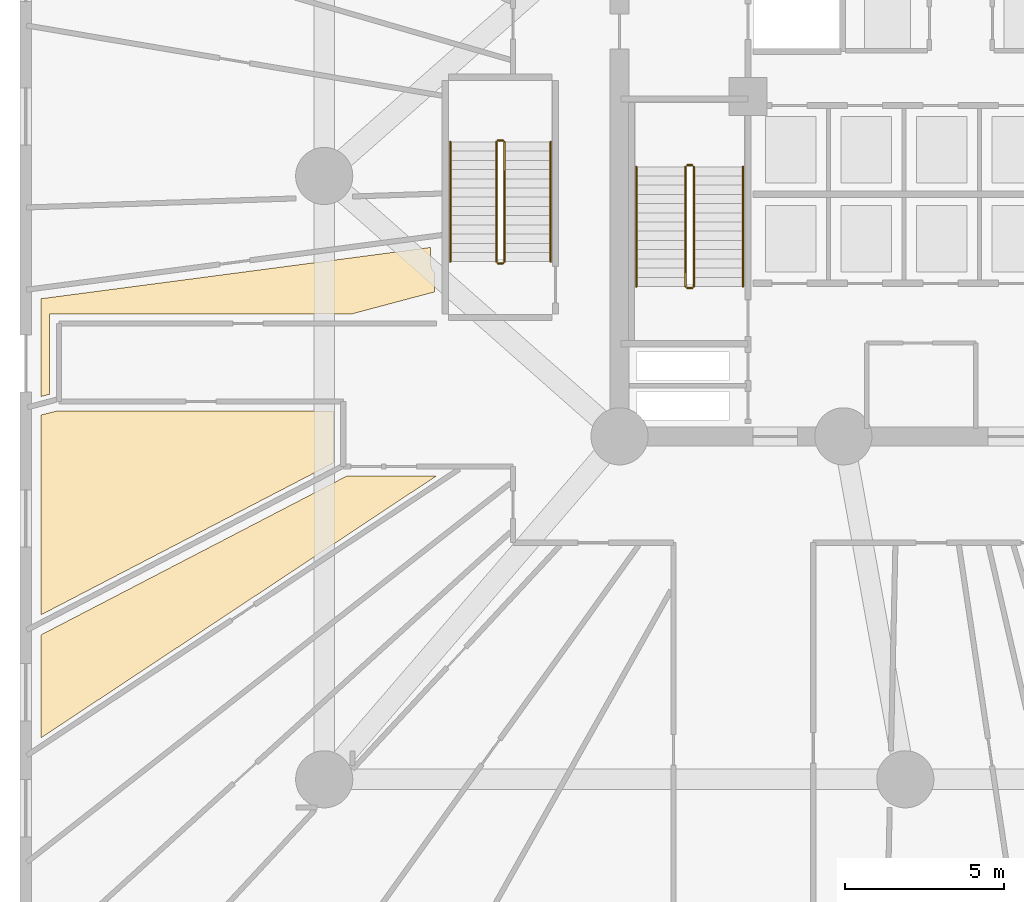
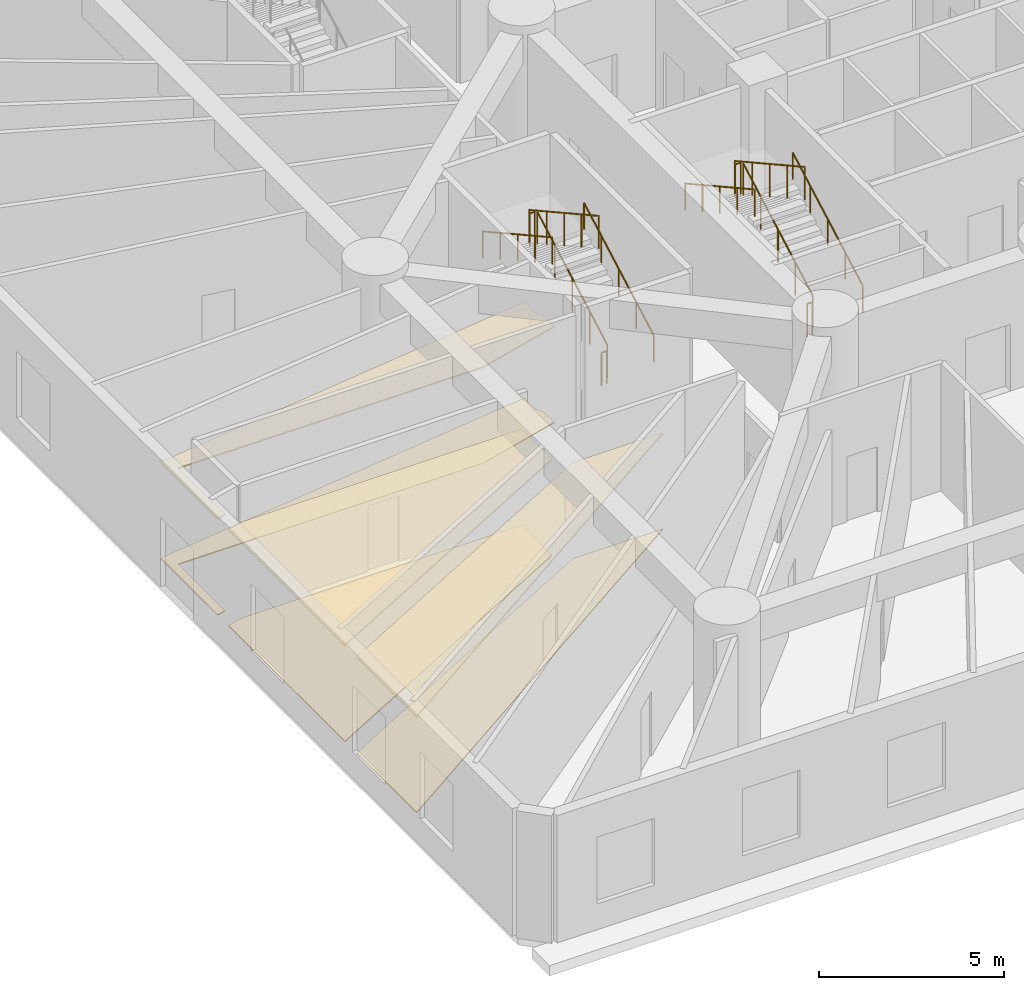
# One storey, part 23 of 30: 12 railings, 6 coverings.
"""IFC4 building model written with IfcOpenShell, lengths in metres."""

from ifc_helpers import new_model, si_unit, direction, frame, origin, origin_2d, place, context, subcontext, project, spatial, polyline, circle, outline, extrude, material, layer, layer_set, type_object, element, save


model = new_model("IFC4")

# Units and contexts
model_context = context("Model", 3, precision=1e-05, world=origin(), true_north=direction((0.0, 1.0)))
body_context = subcontext(model_context, "Body", "Model", "MODEL_VIEW")
ifc_project = project(units=[si_unit("LENGTHUNIT", "METRE"), si_unit("AREAUNIT", "SQUARE_METRE"), si_unit("VOLUMEUNIT", "CUBIC_METRE"), si_unit("PLANEANGLEUNIT", "RADIAN"), si_unit("MASSUNIT", "GRAM", prefix="KILO")], contexts=[model_context])

# Site, building, storey
site_placement = place(None, origin())
site = spatial("IfcSite", under=ifc_project, at=site_placement, CompositionType="ELEMENT")
building_placement = place(site_placement, origin())
building = spatial("IfcBuilding", under=site, at=building_placement, Name="Karkom Vertical University and Central Library", CompositionType="ELEMENT")
storey_placement = place(building_placement, origin())
storey = spatial("IfcBuildingStorey", under=building, at=storey_placement, Name="L00", CompositionType="ELEMENT", Elevation=0.0)

# Coverings
ifc_material_1 = material(Name="Perforated mineral-fibre & timber-slat acoustic ceiling", Category="wood")
ifc_layer_1 = layer(ifc_material_1, 0.044921875)
ifc_layer_set_1 = layer_set([ifc_layer_1], Name="Perforated mineral-fibre & timber-slat acoustic ceiling")
covering_type_1 = type_object("IfcCoveringType", Name="INT-COV-CEIL", PredefinedType="CEILING", material=ifc_layer_set_1)
covering_1_placement = place(storey_placement, frame((0.0, 0.0, 3.155029296875)))
element("IfcCovering", 1, at=covering_1_placement, inside=storey, type_object=covering_type_1, Name="Level 00 Suspended Acoustic Ceiling L00-PD02", PredefinedType="CEILING", context=body_context, shape_type="SweptSolid", body=[
    extrude(outline(polyline([(13.679931640625, 23.437255859375), (13.679931640625, 22.85009765625), (11.046142578125, 22.14990234375), (1.550048828125, 22.14990234375), (1.550048828125, 19.625732421875), (1.280029296875, 19.553955078125), (1.280029296875, 22.634033203125), (13.550048828125, 24.24951171875), (13.550048828125, 23.794677734375), (13.552490234375, 23.744140625), (13.560791015625, 23.688720703125), (13.57421875, 23.634521484375), (13.593017578125, 23.581787109375), (13.6171875, 23.53125), (13.645751953125, 23.483154296875), (13.67919921875, 23.438232421875), (13.679931640625, 23.437255859375)])), origin(), (0.0, 0.0, 1.0), 0.044921875),
])
covering_2_placement = place(storey_placement, frame((0.0, 0.0, 3.155029296875)))
element("IfcCovering", 2, at=covering_2_placement, inside=storey, type_object=covering_type_1, Name="Level 00 Suspended Acoustic Ceiling L00-PD03", PredefinedType="CEILING", context=body_context, shape_type="SweptSolid", body=[
    extrude(outline(polyline([(1.280029296875, 12.6787109375), (1.280029296875, 18.9716796875), (1.796875, 19.10009765625), (10.5, 19.10009765625), (10.5, 17.467041015625), (1.280029296875, 12.6787109375)])), origin(), (0.0, 0.0, 1.0), 0.044921875),
])
covering_3_placement = place(storey_placement, frame((0.0, 0.0, 3.155029296875)))
element("IfcCovering", 3, at=covering_3_placement, inside=storey, type_object=covering_type_1, Name="Level 00 Suspended Acoustic Ceiling L00-PD04", PredefinedType="CEILING", context=body_context, shape_type="SweptSolid", body=[
    extrude(outline(polyline([(10.911865234375, 17.050048828125), (13.7265625, 17.050048828125), (1.280029296875, 8.805419921875), (1.280029296875, 12.047607421875), (10.911865234375, 17.050048828125)])), origin(), (0.0, 0.0, 1.0), 0.044921875),
])
ifc_material_2 = material(Name="Honed Kota limestone & terrazzo flooring", Category="masonry")
ifc_layer_2 = layer(ifc_material_2, 0.030029296875)
ifc_layer_set_2 = layer_set([ifc_layer_2], Name="Honed Kota limestone & terrazzo flooring")
covering_type_2 = type_object("IfcCoveringType", Name="INT-COV-FLOOR", PredefinedType="FLOORING", material=ifc_layer_set_2)
covering_4_placement = place(storey_placement, origin())
element("IfcCovering", 4, at=covering_4_placement, inside=storey, type_object=covering_type_2, Name="Level 00 Kota Stone Floor Finish L00-PD02", PredefinedType="FLOORING", context=body_context, shape_type="SweptSolid", body=[
    extrude(outline(polyline([(13.679931640625, 23.437255859375), (13.679931640625, 22.85009765625), (11.046142578125, 22.14990234375), (1.550048828125, 22.14990234375), (1.550048828125, 19.625732421875), (1.280029296875, 19.553955078125), (1.280029296875, 22.634033203125), (13.550048828125, 24.24951171875), (13.550048828125, 23.794677734375), (13.552490234375, 23.744140625), (13.560791015625, 23.688720703125), (13.57421875, 23.634521484375), (13.593017578125, 23.581787109375), (13.6171875, 23.53125), (13.645751953125, 23.483154296875), (13.67919921875, 23.438232421875), (13.679931640625, 23.437255859375)])), origin(), (0.0, 0.0, 1.0), 0.030029296875),
])
covering_5_placement = place(storey_placement, origin())
element("IfcCovering", 5, at=covering_5_placement, inside=storey, type_object=covering_type_2, Name="Level 00 Kota Stone Floor Finish L00-PD03", PredefinedType="FLOORING", context=body_context, shape_type="SweptSolid", body=[
    extrude(outline(polyline([(1.280029296875, 12.6787109375), (1.280029296875, 18.9716796875), (1.796875, 19.10009765625), (10.5, 19.10009765625), (10.5, 17.467041015625), (1.280029296875, 12.6787109375)])), origin(), (0.0, 0.0, 1.0), 0.030029296875),
])
covering_6_placement = place(storey_placement, origin())
element("IfcCovering", 6, at=covering_6_placement, inside=storey, type_object=covering_type_2, Name="Level 00 Kota Stone Floor Finish L00-PD04", PredefinedType="FLOORING", context=body_context, shape_type="SweptSolid", body=[
    extrude(outline(polyline([(10.911865234375, 17.050048828125), (13.7265625, 17.050048828125), (1.280029296875, 8.805419921875), (1.280029296875, 12.047607421875), (10.911865234375, 17.050048828125)])), origin(), (0.0, 0.0, 1.0), 0.030029296875),
])

# Railings
ifc_material_3 = material(Name="Painted galvanised steel balustrade", Category="steel")
ifc_layer_3 = layer(ifc_material_3, 0.06005859375)
ifc_layer_set_3 = layer_set([ifc_layer_3], Name="Painted galvanised steel balustrade")
railing_type_1 = type_object("IfcRailingType", Name="INT-RL-GUARD1100", PredefinedType="GUARDRAIL", material=ifc_layer_set_3)
railing_1_placement = place(storey_placement, frame((21.840087890625, 23.02001953125, 0.16064453125)))
element("IfcRailing", 7, at=railing_1_placement, inside=storey, type_object=railing_type_1, Name="Level 00 ST-1 stair guard 1", PredefinedType="GUARDRAIL", context=body_context, shape_type="SweptSolid", body=[
    extrude(circle(Radius=0.02392578125, at=origin_2d()), frame((0.0, 0.0, 1.076171875), z_axis=(0.0, 0.874659101714, 0.484738543742), x_axis=(-1.0, 0.0, 0.0)), (0.0, 0.0, 1.0), 4.310302734375),
    extrude(circle(Radius=0.02099609375, at=origin_2d()), origin(), (0.0, 0.0, 1.0), 1.052001953125),
    extrude(circle(Radius=0.02099609375, at=origin_2d()), frame((0.0, 0.9423828125, 0.5224609375)), (0.0, 0.0, 1.0), 1.052001953125),
    extrude(circle(Radius=0.02099609375, at=origin_2d()), frame((0.0, 1.885009765625, 1.044677734375)), (0.0, 0.0, 1.0), 1.052001953125),
    extrude(circle(Radius=0.02099609375, at=origin_2d()), frame((0.0, 2.82763671875, 1.56689453125)), (0.0, 0.0, 1.0), 1.052001953125),
    extrude(circle(Radius=0.02099609375, at=origin_2d()), frame((0.0, 3.77001953125, 2.08935546875)), (0.0, 0.0, 1.0), 1.052001953125),
])
railing_2_placement = place(storey_placement, frame((21.7900390625, 26.840087890625, 2.25)))
element("IfcRailing", 8, at=railing_2_placement, inside=storey, type_object=railing_type_1, Name="Level 00 ST-1 stair guard 2", PredefinedType="GUARDRAIL", context=body_context, shape_type="SweptSolid", body=[
    extrude(circle(Radius=0.02392578125, at=origin_2d()), frame((0.0, 0.0, 1.076171875), z_axis=(-1.0, 0.0, 0.0), x_axis=(0.0, -1.0, 0.0)), (0.0, 0.0, 1.0), 0.16015625),
    extrude(circle(Radius=0.02099609375, at=origin_2d()), origin(), (0.0, 0.0, 1.0), 1.052001953125),
    extrude(circle(Radius=0.02099609375, at=origin_2d()), frame((-0.16015625, 0.0, 0.0)), (0.0, 0.0, 1.0), 1.052001953125),
])
railing_3_placement = place(storey_placement, frame((21.580078125, 26.7900390625, 2.41064453125)))
element("IfcRailing", 9, at=railing_3_placement, inside=storey, type_object=railing_type_1, Name="Level 00 ST-1 stair guard 3", PredefinedType="GUARDRAIL", context=body_context, shape_type="SweptSolid", body=[
    extrude(circle(Radius=0.02392578125, at=origin_2d()), frame((0.0, 0.0, 1.076171875), z_axis=(0.0, -0.874659101714, 0.484738543742), x_axis=(1.0, 0.0, 0.0)), (0.0, 0.0, 1.0), 4.310302734375),
    extrude(circle(Radius=0.02099609375, at=origin_2d()), origin(), (0.0, 0.0, 1.0), 1.052001953125),
    extrude(circle(Radius=0.02099609375, at=origin_2d()), frame((0.0, -0.9423828125, 0.5224609375)), (0.0, 0.0, 1.0), 1.052001953125),
    extrude(circle(Radius=0.02099609375, at=origin_2d()), frame((0.0, -1.885009765625, 1.044677734375)), (0.0, 0.0, 1.0), 1.052001953125),
    extrude(circle(Radius=0.02099609375, at=origin_2d()), frame((0.0, -2.82763671875, 1.56689453125)), (0.0, 0.0, 1.0), 1.052001953125),
    extrude(circle(Radius=0.02099609375, at=origin_2d()), frame((0.0, -3.77001953125, 2.08935546875)), (0.0, 0.0, 1.0), 1.052001953125),
])
railing_4_placement = place(storey_placement, frame((21.7900390625, 22.969970703125, 0.0)))
element("IfcRailing", 10, at=railing_4_placement, inside=storey, type_object=railing_type_1, Name="Level 00 ST-1 stair guard 4", PredefinedType="GUARDRAIL", context=body_context, shape_type="SweptSolid", body=[
    extrude(circle(Radius=0.02392578125, at=origin_2d()), frame((0.0, 0.0, 1.076171875), z_axis=(-1.0, 0.0, 0.0), x_axis=(0.0, -1.0, 0.0)), (0.0, 0.0, 1.0), 0.16015625),
    extrude(circle(Radius=0.02099609375, at=origin_2d()), origin(), (0.0, 0.0, 1.0), 1.052001953125),
    extrude(circle(Radius=0.02099609375, at=origin_2d()), frame((-0.16015625, 0.0, 0.0)), (0.0, 0.0, 1.0), 1.052001953125),
])
railing_5_placement = place(storey_placement, frame((15.8798828125, 23.800048828125, 0.16064453125)))
element("IfcRailing", 11, at=railing_5_placement, inside=storey, type_object=railing_type_1, Name="Level 00 ST-3 stair guard 1", PredefinedType="GUARDRAIL", context=body_context, shape_type="SweptSolid", body=[
    extrude(circle(Radius=0.02392578125, at=origin_2d()), frame((0.0, 0.0, 1.076171875), z_axis=(0.0, 0.874659101714, 0.484738543742), x_axis=(-1.0, 0.0, 0.0)), (0.0, 0.0, 1.0), 4.310302734375),
    extrude(circle(Radius=0.02099609375, at=origin_2d()), origin(), (0.0, 0.0, 1.0), 1.052001953125),
    extrude(circle(Radius=0.02099609375, at=origin_2d()), frame((0.0, 0.9423828125, 0.5224609375)), (0.0, 0.0, 1.0), 1.052001953125),
    extrude(circle(Radius=0.02099609375, at=origin_2d()), frame((0.0, 1.885009765625, 1.044677734375)), (0.0, 0.0, 1.0), 1.052001953125),
    extrude(circle(Radius=0.02099609375, at=origin_2d()), frame((0.0, 2.82763671875, 1.56689453125)), (0.0, 0.0, 1.0), 1.052001953125),
    extrude(circle(Radius=0.02099609375, at=origin_2d()), frame((0.0, 3.77001953125, 2.08935546875)), (0.0, 0.0, 1.0), 1.052001953125),
])
railing_6_placement = place(storey_placement, frame((15.830078125, 27.6201171875, 2.25)))
element("IfcRailing", 12, at=railing_6_placement, inside=storey, type_object=railing_type_1, Name="Level 00 ST-3 stair guard 2", PredefinedType="GUARDRAIL", context=body_context, shape_type="SweptSolid", body=[
    extrude(circle(Radius=0.02392578125, at=origin_2d()), frame((0.0, 0.0, 1.076171875), z_axis=(-1.0, 0.0, 0.0), x_axis=(0.0, -1.0, 0.0)), (0.0, 0.0, 1.0), 0.16015625),
    extrude(circle(Radius=0.02099609375, at=origin_2d()), origin(), (0.0, 0.0, 1.0), 1.052001953125),
    extrude(circle(Radius=0.02099609375, at=origin_2d()), frame((-0.16015625, 0.0, 0.0)), (0.0, 0.0, 1.0), 1.052001953125),
])
railing_7_placement = place(storey_placement, frame((15.6201171875, 27.570068359375, 2.41064453125)))
element("IfcRailing", 13, at=railing_7_placement, inside=storey, type_object=railing_type_1, Name="Level 00 ST-3 stair guard 3", PredefinedType="GUARDRAIL", context=body_context, shape_type="SweptSolid", body=[
    extrude(circle(Radius=0.02392578125, at=origin_2d()), frame((0.0, 0.0, 1.076171875), z_axis=(0.0, -0.874659101714, 0.484738543742), x_axis=(1.0, 0.0, 0.0)), (0.0, 0.0, 1.0), 4.310302734375),
    extrude(circle(Radius=0.02099609375, at=origin_2d()), origin(), (0.0, 0.0, 1.0), 1.052001953125),
    extrude(circle(Radius=0.02099609375, at=origin_2d()), frame((0.0, -0.9423828125, 0.5224609375)), (0.0, 0.0, 1.0), 1.052001953125),
    extrude(circle(Radius=0.02099609375, at=origin_2d()), frame((0.0, -1.885009765625, 1.044677734375)), (0.0, 0.0, 1.0), 1.052001953125),
    extrude(circle(Radius=0.02099609375, at=origin_2d()), frame((0.0, -2.82763671875, 1.56689453125)), (0.0, 0.0, 1.0), 1.052001953125),
    extrude(circle(Radius=0.02099609375, at=origin_2d()), frame((0.0, -3.77001953125, 2.08935546875)), (0.0, 0.0, 1.0), 1.052001953125),
])
railing_8_placement = place(storey_placement, frame((15.830078125, 23.75, 0.0)))
element("IfcRailing", 14, at=railing_8_placement, inside=storey, type_object=railing_type_1, Name="Level 00 ST-3 stair guard 4", PredefinedType="GUARDRAIL", context=body_context, shape_type="SweptSolid", body=[
    extrude(circle(Radius=0.02392578125, at=origin_2d()), frame((0.0, 0.0, 1.076171875), z_axis=(-1.0, 0.0, 0.0), x_axis=(0.0, -1.0, 0.0)), (0.0, 0.0, 1.0), 0.16015625),
    extrude(circle(Radius=0.02099609375, at=origin_2d()), origin(), (0.0, 0.0, 1.0), 1.052001953125),
    extrude(circle(Radius=0.02099609375, at=origin_2d()), frame((-0.16015625, 0.0, 0.0)), (0.0, 0.0, 1.0), 1.052001953125),
])
ifc_material_4 = material(Name="Brushed stainless-steel tubular handrail", Category="steel")
ifc_layer_4 = layer(ifc_material_4, 0.048095703125)
ifc_layer_set_4 = layer_set([ifc_layer_4], Name="Brushed stainless-steel tubular handrail")
railing_type_2 = type_object("IfcRailingType", Name="INT-RL-HAND920", PredefinedType="HANDRAIL", material=ifc_layer_set_4)
railing_9_placement = place(storey_placement, frame((23.389892578125, 23.02001953125, 0.16064453125)))
element("IfcRailing", 15, at=railing_9_placement, inside=storey, type_object=railing_type_2, Name="Level 00 ST-1 stair handrail 1", PredefinedType="HANDRAIL", context=body_context, shape_type="SweptSolid", body=[
    extrude(circle(Radius=0.02392578125, at=origin_2d()), frame((0.0, 0.0, 0.8759765625), z_axis=(0.0, 0.874659101714, 0.484738543742), x_axis=(-1.0, 0.0, 0.0)), (0.0, 0.0, 1.0), 4.310302734375),
    extrude(circle(Radius=0.02099609375, at=origin_2d()), origin(), (0.0, 0.0, 1.0), 0.851806640625),
    extrude(circle(Radius=0.02099609375, at=origin_2d()), frame((0.0, 0.9423828125, 0.5224609375)), (0.0, 0.0, 1.0), 0.851806640625),
    extrude(circle(Radius=0.02099609375, at=origin_2d()), frame((0.0, 1.885009765625, 1.044677734375)), (0.0, 0.0, 1.0), 0.851806640625),
    extrude(circle(Radius=0.02099609375, at=origin_2d()), frame((0.0, 2.82763671875, 1.56689453125)), (0.0, 0.0, 1.0), 0.851806640625),
    extrude(circle(Radius=0.02099609375, at=origin_2d()), frame((0.0, 3.77001953125, 2.08935546875)), (0.0, 0.0, 1.0), 0.851806640625),
])
railing_10_placement = place(storey_placement, frame((20.030029296875, 26.7900390625, 2.41064453125)))
element("IfcRailing", 16, at=railing_10_placement, inside=storey, type_object=railing_type_2, Name="Level 00 ST-1 stair handrail 2", PredefinedType="HANDRAIL", context=body_context, shape_type="SweptSolid", body=[
    extrude(circle(Radius=0.02392578125, at=origin_2d()), frame((0.0, 0.0, 0.8759765625), z_axis=(0.0, -0.874659101714, 0.484738543742), x_axis=(1.0, 0.0, 0.0)), (0.0, 0.0, 1.0), 4.310302734375),
    extrude(circle(Radius=0.02099609375, at=origin_2d()), origin(), (0.0, 0.0, 1.0), 0.851806640625),
    extrude(circle(Radius=0.02099609375, at=origin_2d()), frame((0.0, -0.9423828125, 0.5224609375)), (0.0, 0.0, 1.0), 0.851806640625),
    extrude(circle(Radius=0.02099609375, at=origin_2d()), frame((0.0, -1.885009765625, 1.044677734375)), (0.0, 0.0, 1.0), 0.851806640625),
    extrude(circle(Radius=0.02099609375, at=origin_2d()), frame((0.0, -2.82763671875, 1.56689453125)), (0.0, 0.0, 1.0), 0.851806640625),
    extrude(circle(Radius=0.02099609375, at=origin_2d()), frame((0.0, -3.77001953125, 2.08935546875)), (0.0, 0.0, 1.0), 0.851806640625),
])
railing_11_placement = place(storey_placement, frame((17.330078125, 23.800048828125, 0.16064453125)))
element("IfcRailing", 17, at=railing_11_placement, inside=storey, type_object=railing_type_2, Name="Level 00 ST-3 stair handrail 1", PredefinedType="HANDRAIL", context=body_context, shape_type="SweptSolid", body=[
    extrude(circle(Radius=0.02392578125, at=origin_2d()), frame((0.0, 0.0, 0.8759765625), z_axis=(0.0, 0.874659101714, 0.484738543742), x_axis=(-1.0, 0.0, 0.0)), (0.0, 0.0, 1.0), 4.310302734375),
    extrude(circle(Radius=0.02099609375, at=origin_2d()), origin(), (0.0, 0.0, 1.0), 0.851806640625),
    extrude(circle(Radius=0.02099609375, at=origin_2d()), frame((0.0, 0.9423828125, 0.5224609375)), (0.0, 0.0, 1.0), 0.851806640625),
    extrude(circle(Radius=0.02099609375, at=origin_2d()), frame((0.0, 1.885009765625, 1.044677734375)), (0.0, 0.0, 1.0), 0.851806640625),
    extrude(circle(Radius=0.02099609375, at=origin_2d()), frame((0.0, 2.82763671875, 1.56689453125)), (0.0, 0.0, 1.0), 0.851806640625),
    extrude(circle(Radius=0.02099609375, at=origin_2d()), frame((0.0, 3.77001953125, 2.08935546875)), (0.0, 0.0, 1.0), 0.851806640625),
])
railing_12_placement = place(storey_placement, frame((14.169921875, 27.570068359375, 2.41064453125)))
element("IfcRailing", 18, at=railing_12_placement, inside=storey, type_object=railing_type_2, Name="Level 00 ST-3 stair handrail 2", PredefinedType="HANDRAIL", context=body_context, shape_type="SweptSolid", body=[
    extrude(circle(Radius=0.02392578125, at=origin_2d()), frame((0.0, 0.0, 0.8759765625), z_axis=(0.0, -0.874659101714, 0.484738543742), x_axis=(1.0, 0.0, 0.0)), (0.0, 0.0, 1.0), 4.310302734375),
    extrude(circle(Radius=0.02099609375, at=origin_2d()), origin(), (0.0, 0.0, 1.0), 0.851806640625),
    extrude(circle(Radius=0.02099609375, at=origin_2d()), frame((0.0, -0.9423828125, 0.5224609375)), (0.0, 0.0, 1.0), 0.851806640625),
    extrude(circle(Radius=0.02099609375, at=origin_2d()), frame((0.0, -1.885009765625, 1.044677734375)), (0.0, 0.0, 1.0), 0.851806640625),
    extrude(circle(Radius=0.02099609375, at=origin_2d()), frame((0.0, -2.82763671875, 1.56689453125)), (0.0, 0.0, 1.0), 0.851806640625),
    extrude(circle(Radius=0.02099609375, at=origin_2d()), frame((0.0, -3.77001953125, 2.08935546875)), (0.0, 0.0, 1.0), 0.851806640625),
])

save(model, "model.ifc")
